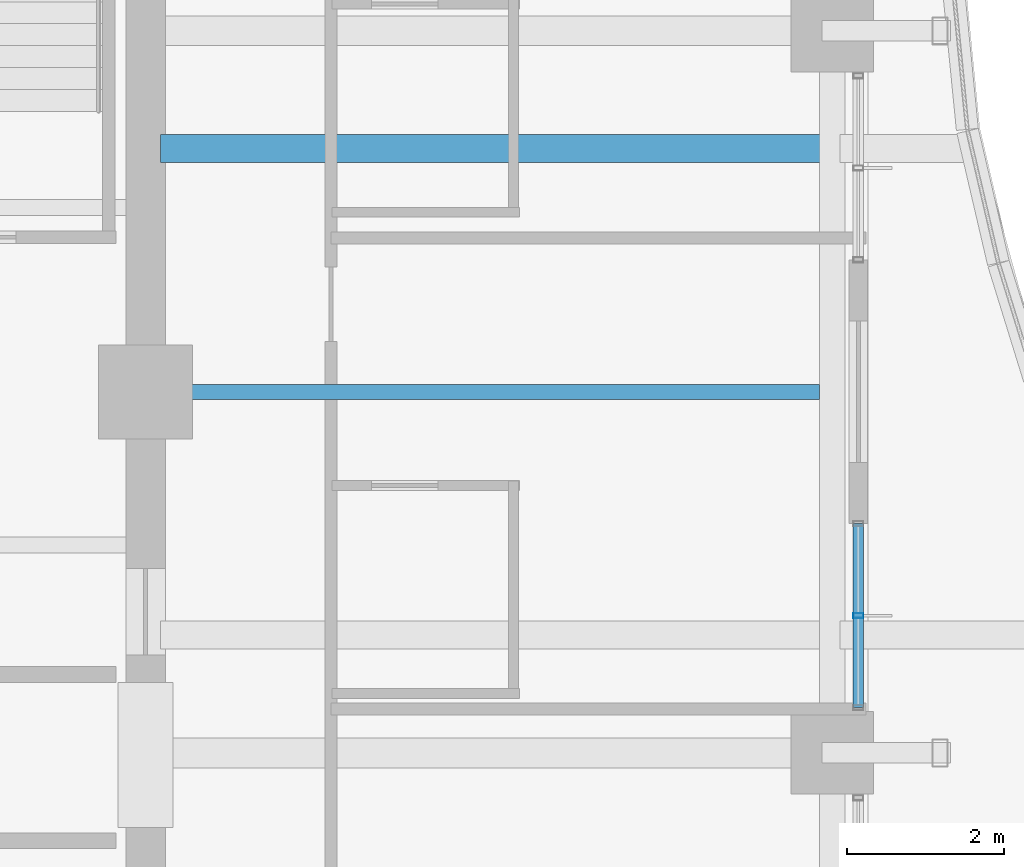
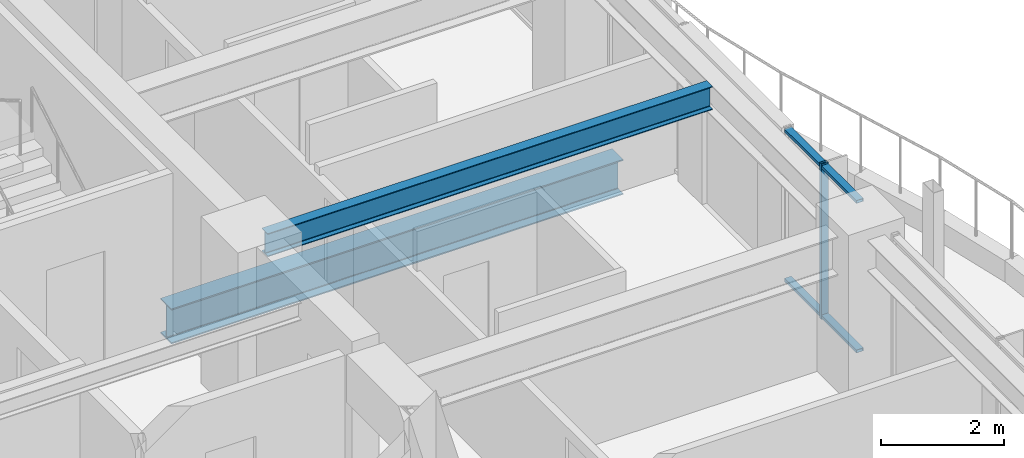
# One storey, part 15 of 35: 3 members, 2 beams, 1 element without a shape of its own.
"""IFC4 building model written with IfcOpenShell, lengths in metres."""

from ifc_helpers import new_model, si_unit, direction, frame, origin, origin_2d, place, context, subcontext, project, spatial, hollow_rectangle, i_section, extrude, material, material_profile, profile_set, type_object, element, aggregate, save


model = new_model("IFC4")

# Units and contexts
model_context = context("Model", 3, precision=1e-05, world=origin(), true_north=direction((0.0, 1.0)))
body_context = subcontext(model_context, "Body", "Model", "MODEL_VIEW")
ifc_project = project(units=[si_unit("LENGTHUNIT", "METRE"), si_unit("AREAUNIT", "SQUARE_METRE"), si_unit("VOLUMEUNIT", "CUBIC_METRE"), si_unit("PLANEANGLEUNIT", "RADIAN"), si_unit("MASSUNIT", "GRAM", prefix="KILO")], contexts=[model_context])

# Site, building, storey
site_placement = place(None, origin())
site = spatial("IfcSite", under=ifc_project, at=site_placement, CompositionType="ELEMENT")
building_placement = place(site_placement, origin())
building = spatial("IfcBuilding", under=site, at=building_placement, Name="Kolvaren Belvedere", CompositionType="ELEMENT")
storey_placement = place(building_placement, frame((0.0, 0.0, 115.10009765625)))
storey = spatial("IfcBuildingStorey", under=building, at=storey_placement, Name="L33", CompositionType="ELEMENT", Elevation=115.10009765625)

# Beams
ifc_material_1 = material(Name="Structural steel ASTM A992 Grade 50", Category="steel")
ifc_material_profile_1 = material_profile(ifc_material_1, i_section(OverallWidth=0.35498046875, OverallDepth=0.696044921875, WebThickness=0.015380859375, FlangeThickness=0.02490234375, FilletRadius=0.02197265625, at=origin_2d()), Name="W27X146")
ifc_profile_set_1 = profile_set([ifc_material_profile_1], Name="Structural steel ASTM A992 Grade 50")
beam_type_1 = type_object("IfcBeamType", Name="BM-GIRD-W27X146", PredefinedType="BEAM", material=ifc_profile_set_1)
beam_1_placement = place(storey_placement, frame((10.090087890625, 3.10009765625, -0.568115234375), z_axis=(1.0, 0.0, 0.0), x_axis=(0.0, 1.0, 0.0)))
element("IfcBeam", 1, at=beam_1_placement, inside=storey, type_object=beam_type_1, Name="L33 Balcony Interior Back-Span Girder BAL-E-2", PredefinedType="BEAM", context=body_context, shape_type="SweptSolid", body=[
    extrude(i_section(OverallWidth=0.35498046875, OverallDepth=0.696044921875, WebThickness=0.015380859375, FlangeThickness=0.02490234375, FilletRadius=0.02197265625, at=origin_2d()), origin(), (0.0, 0.0, 1.0), 8.46484375),
])
ifc_material_2 = material(Name="Structural steel ASTM A992 Grade 50", Category="steel")
ifc_material_profile_2 = material_profile(ifc_material_2, i_section(OverallWidth=0.19091796875, OverallDepth=0.4599609375, WebThickness=0.010009765625, FlangeThickness=0.01611328125, FilletRadius=0.014892578125, at=origin_2d()), Name="W18X55")
ifc_profile_set_2 = profile_set([ifc_material_profile_2], Name="Structural steel ASTM A992 Grade 50")
beam_type_2 = type_object("IfcBeamType", Name="BM-JOIST-W18X55", PredefinedType="BEAM", material=ifc_profile_set_2)
beam_2_placement = place(storey_placement, frame((10.14990234375, 0.0, 2.849853515625), z_axis=(1.0, 0.0, 0.0), x_axis=(0.0, 1.0, 0.0)))
element("IfcBeam", 2, at=beam_2_placement, inside=storey, type_object=beam_type_2, Name="L33 East Centre Floor Beam", PredefinedType="BEAM", context=body_context, shape_type="SweptSolid", body=[
    extrude(i_section(OverallWidth=0.19091796875, OverallDepth=0.4599609375, WebThickness=0.010009765625, FlangeThickness=0.01611328125, FilletRadius=0.014892578125, at=origin_2d()), origin(), (0.0, 0.0, 1.0), 8.337646484375),
])

# Curtain wall, members
ifc_material_3 = material(Name="Anodised pale-metal aluminium AA 6063-T6", Category="aluminium")
curtain_wall_type = type_object("IfcCurtainWallType", Name="CW-Z3-WAIST", PredefinedType="NOTDEFINED", material=ifc_material_3)
curtain_wall_placement = place(storey_placement, origin())
curtain_wall = element("IfcCurtainWall", 3, at=curtain_wall_placement, inside=storey, type_object=curtain_wall_type, Name="L33 Unitised Curtain Wall FCW-L33-E2-B1", PredefinedType="NOTDEFINED")
ifc_material_4 = material(Name="Anodised pale-metal aluminium AA 6063-T6", Category="aluminium")
ifc_material_profile_3 = material_profile(ifc_material_4, hollow_rectangle(XDim=0.06494140625, YDim=0.1298828125, WallThickness=0.00390625, at=origin_2d()), Name="ALU-MUL-130X65")
ifc_profile_set_3 = profile_set([ifc_material_profile_3], Name="Anodised pale-metal aluminium AA 6063-T6")
member_type_1 = type_object("IfcMemberType", Name="CW-MUL-130", PredefinedType="MULLION", material=ifc_profile_set_3)
member_1_placement = place(storey_placement, frame((18.97998046875, -2.851318359375, 0.0), z_axis=(0.0, 0.0, 1.0), x_axis=(0.0, 1.0, 0.0)))
member_1 = element("IfcMember", 4, at=member_1_placement, type_object=member_type_1, Name="FCW-L33-E2-B1 Unitised Mullion 2", PredefinedType="MULLION", context=body_context, shape_type="SweptSolid", body=[
    extrude(hollow_rectangle(XDim=0.06494140625, YDim=0.1298828125, WallThickness=0.00390625, at=origin_2d()), origin(), (0.0, 0.0, 1.0), 3.079833984375),
])
ifc_material_5 = material(Name="Anodised pale-metal aluminium AA 6063-T6", Category="aluminium")
ifc_material_profile_4 = material_profile(ifc_material_5, hollow_rectangle(XDim=0.06005859375, YDim=0.1298828125, WallThickness=0.00390625, at=origin_2d()), Name="ALU-TRN-130X60")
ifc_profile_set_4 = profile_set([ifc_material_profile_4], Name="Anodised pale-metal aluminium AA 6063-T6")
member_type_2 = type_object("IfcMemberType", Name="CW-TRN-130", PredefinedType="USERDEFINED", material=ifc_profile_set_4)
member_2_placement = place(storey_placement, frame((18.97998046875, -1.679931640625, 0.059814453125), z_axis=(0.0, -1.0, 0.0), x_axis=(0.0, 0.0, 1.0)))
member_2 = element("IfcMember", 5, at=member_2_placement, type_object=member_type_2, Name="FCW-L33-E2-B1 Sill Transom", ObjectType="TRANSOM", PredefinedType="USERDEFINED", context=body_context, shape_type="SweptSolid", body=[
    extrude(hollow_rectangle(XDim=0.06005859375, YDim=0.1298828125, WallThickness=0.00390625, at=origin_2d()), origin(), (0.0, 0.0, 1.0), 2.342529296875),
])
member_3_placement = place(storey_placement, frame((18.97998046875, -1.679931640625, 3.02001953125), z_axis=(0.0, -1.0, 0.0), x_axis=(0.0, 0.0, 1.0)))
member_3 = element("IfcMember", 6, at=member_3_placement, type_object=member_type_2, Name="FCW-L33-E2-B1 Head Transom", ObjectType="TRANSOM", PredefinedType="USERDEFINED", context=body_context, shape_type="SweptSolid", body=[
    extrude(hollow_rectangle(XDim=0.06005859375, YDim=0.1298828125, WallThickness=0.00390625, at=origin_2d()), origin(), (0.0, 0.0, 1.0), 2.342529296875),
])
aggregate(curtain_wall, [member_1, member_2, member_3])

save(model, "model.ifc")
